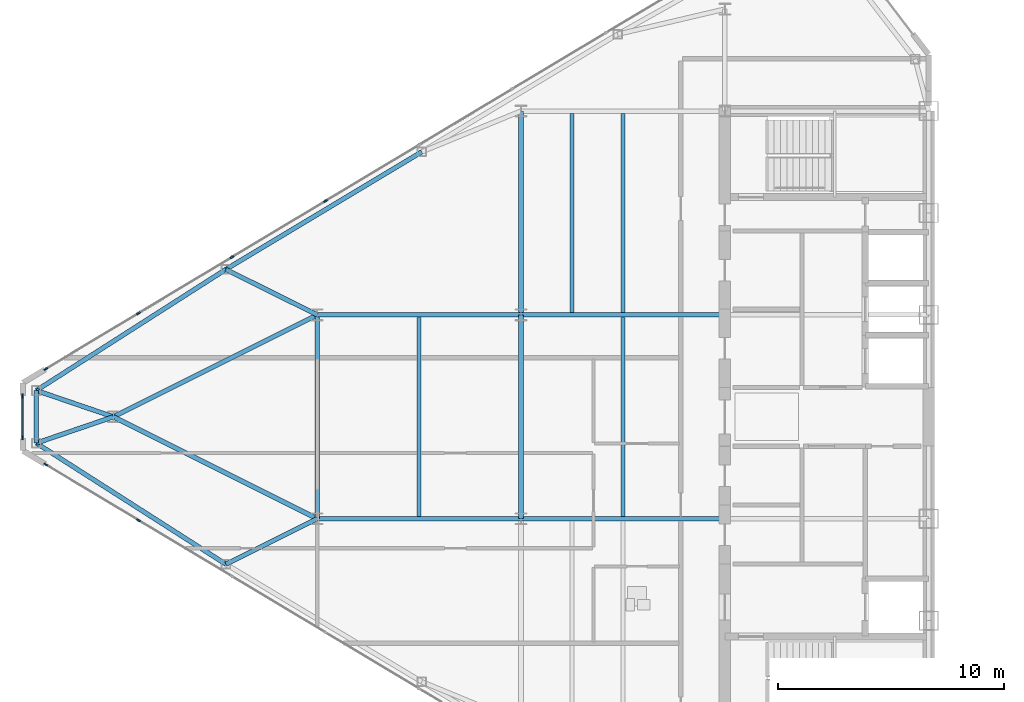
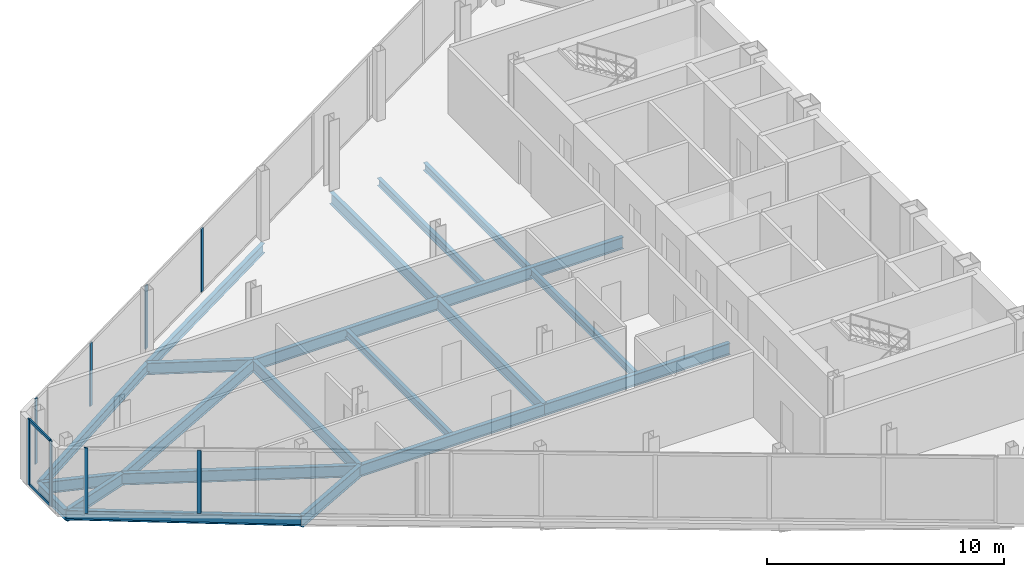
# One storey, part 7 of 25: 21 beams, 10 members, 3 elements without a shape of their own.
"""IFC4 building model written with IfcOpenShell, lengths in metres."""

import ifcopenshell
import ifcopenshell.guid

model = None  # the IFC model being written
_history = None  # IfcOwnerHistory: only IFC2X3 demands one
_inside = {}  # id of a spatial element -> (the spatial element, [elements in it])
_under = {}  # id of a project, library or spatial element -> (it, [spatial elements below it])
_declared = {}  # id of a project -> (the project, [libraries it declares])
_typed = {}  # id of a type object -> (the type object, [elements of that type])
_made_of = {}  # id of a material, layer set ... -> (it, [elements and type objects made of it])


def new_model(schema):
    """Start an empty IFC model of exactly this schema.

    Asked for "IFC4X3", IfcOpenShell would pick the latest addendum, in which some entities
    have other attributes; the version numbers below select the first issue.
    IFC2X3 requires an IfcOwnerHistory on every rooted entity: one is made here for all.
    """
    global model, _history
    if schema == "IFC4X3":
        model = ifcopenshell.file(schema_version=(4, 3, 0, 0))
    else:
        model = ifcopenshell.file(schema=schema)
    _inside.clear()
    _under.clear()
    _declared.clear()
    _typed.clear()
    _made_of.clear()
    _history = None
    if model.schema == "IFC2X3":
        org = make("IfcOrganization", Name="unknown")
        user = make(
            "IfcPersonAndOrganization",
            ThePerson=make("IfcPerson", FamilyName="unknown"),
            TheOrganization=org,
        )
        app = make(
            "IfcApplication",
            ApplicationDeveloper=org,
            Version="unknown",
            ApplicationFullName="unknown",
            ApplicationIdentifier="unknown",
        )
        _history = make(
            "IfcOwnerHistory",
            OwningUser=user,
            OwningApplication=app,
            ChangeAction="ADDED",
            CreationDate=0,
        )
    return model


def make(cls, **values):
    """One entity of the class cls with the attributes given. An attribute that is None is left unset."""
    return model.create_entity(
        cls, **{name: value for name, value in values.items() if value is not None}
    )


def rooted(cls, **values):
    """An entity with a GlobalId (a new one), such as an element, a storey or a relation."""
    return make(cls, GlobalId=ifcopenshell.guid.new(), OwnerHistory=_history, **values)


def si_unit(unit_type, name, prefix=None):
    """IfcSIUnit, for example si_unit("LENGTHUNIT", "METRE", prefix="MILLI")."""
    return make("IfcSIUnit", UnitType=unit_type, Prefix=prefix, Name=name)


def assignment(units):
    """IfcUnitAssignment: the units of a project."""
    return None if units is None else make("IfcUnitAssignment", Units=units)


def point(xyz):
    """IfcCartesianPoint."""
    return None if xyz is None else make("IfcCartesianPoint", Coordinates=xyz)


def direction(xyz):
    """IfcDirection."""
    return None if xyz is None else make("IfcDirection", DirectionRatios=xyz)


def frame(location, z_axis=None, x_axis=None):
    """IfcAxis2Placement3D, a coordinate frame: its origin and axes. An axis left out is left unset."""
    return make(
        "IfcAxis2Placement3D",
        Location=point(location),
        Axis=direction(z_axis),
        RefDirection=direction(x_axis),
    )


def frame_2d(location, x_axis=None):
    """IfcAxis2Placement2D, a coordinate frame in the plane: its origin and x axis."""
    return make(
        "IfcAxis2Placement2D", Location=point(location), RefDirection=direction(x_axis)
    )


def origin():
    """The frame at (0, 0, 0) with its axes left unset."""
    return frame((0.0, 0.0, 0.0))


def origin_2d():
    """The frame at (0, 0) in the plane with its x axis left unset."""
    return frame_2d((0.0, 0.0))


def place(relative_to, where):
    """IfcLocalPlacement: puts the frame where relative to a parent placement (None: the world)."""
    return make(
        "IfcLocalPlacement", PlacementRelTo=relative_to, RelativePlacement=where
    )


def context(
    kind, dimensions, precision=None, world=None, true_north=None, identifier=None
):
    """IfcGeometricRepresentationContext, for example the 3D "Model" context."""
    return make(
        "IfcGeometricRepresentationContext",
        ContextIdentifier=identifier,
        ContextType=kind,
        CoordinateSpaceDimension=dimensions,
        Precision=precision,
        WorldCoordinateSystem=world,
        TrueNorth=true_north,
    )


def subcontext(parent, identifier, kind, view, scale=None):
    """IfcGeometricRepresentationSubContext, for example "Body" below "Model"."""
    return make(
        "IfcGeometricRepresentationSubContext",
        ContextIdentifier=identifier,
        ContextType=kind,
        ParentContext=parent,
        TargetScale=scale,
        TargetView=view,
    )


def project(units=None, contexts=None):
    """IfcProject with its units and contexts."""
    return rooted(
        "IfcProject",
        Name="project",
        RepresentationContexts=contexts,
        UnitsInContext=assignment(units),
    )


def spatial(cls, under=None, at=None, **own):
    """A site, building, storey or space (cls), placed at a placement, below another one or the project."""
    s = rooted(cls, ObjectPlacement=at, **own)
    if under is not None:
        _under.setdefault(under.id(), (under, []))[1].append(s)
    return s


def profile(cls, at=None, kind="AREA", **sizes):
    """A parametric profile (cls). Its sizes go by their IFC names, for example OverallWidth=200.0."""
    return make(cls, ProfileType=kind, Position=at, **sizes)


def rectangle(**sizes):
    """IfcRectangleProfileDef."""
    return profile("IfcRectangleProfileDef", **sizes)


def i_section(**sizes):
    """IfcIShapeProfileDef."""
    return profile("IfcIShapeProfileDef", **sizes)


def extrude(swept, where, along, depth):
    """IfcExtrudedAreaSolid: the profile swept, set in the frame where, extruded along a direction by depth."""
    return make(
        "IfcExtrudedAreaSolid",
        SweptArea=swept,
        Position=where,
        ExtrudedDirection=direction(along),
        Depth=depth,
    )


def shape(context_of_items, identifier, shape_type, items):
    """IfcShapeRepresentation: the items that make up one representation, for example the "Body"."""
    return make(
        "IfcShapeRepresentation",
        ContextOfItems=context_of_items,
        RepresentationIdentifier=identifier,
        RepresentationType=shape_type,
        Items=items,
    )


def source(mapping_origin, context_of_items, identifier, shape_type, items):
    """IfcRepresentationMap: a shape defined once, which mapped items show again and again."""
    return make(
        "IfcRepresentationMap",
        MappingOrigin=mapping_origin,
        MappedRepresentation=shape(context_of_items, identifier, shape_type, items),
    )


def transform(
    local_origin,
    x_axis=None,
    y_axis=None,
    z_axis=None,
    scale=None,
    scale2=None,
    scale3=None,
    uniform=True,
):
    """IfcCartesianTransformationOperator3D, or its non-uniform kind. x_axis, y_axis, z_axis: its Axis1, 2, 3."""
    if uniform:
        return make(
            "IfcCartesianTransformationOperator3D",
            Axis1=direction(x_axis),
            Axis2=direction(y_axis),
            LocalOrigin=point(local_origin),
            Scale=scale,
            Axis3=direction(z_axis),
        )
    return make(
        "IfcCartesianTransformationOperator3DnonUniform",
        Axis1=direction(x_axis),
        Axis2=direction(y_axis),
        LocalOrigin=point(local_origin),
        Scale=scale,
        Axis3=direction(z_axis),
        Scale2=scale2,
        Scale3=scale3,
    )


def mapped(mapping_source, mapping_target):
    """IfcMappedItem: shows the shape of a source again, moved by a transform."""
    return make(
        "IfcMappedItem", MappingSource=mapping_source, MappingTarget=mapping_target
    )


def material(Name=None, Category=None):
    """IfcMaterial."""
    return make("IfcMaterial", Name=Name, Category=Category)


def layer(
    of_material, thickness, ventilated=None, Name=None, Category=None, Priority=None
):
    """IfcMaterialLayer: one layer of a wall or slab, of a material (None: an air gap)."""
    return make(
        "IfcMaterialLayer",
        Material=of_material,
        LayerThickness=thickness,
        IsVentilated=ventilated,
        Name=Name,
        Category=Category,
        Priority=Priority,
    )


def layer_set(layers, Name=None):
    """IfcMaterialLayerSet."""
    return make("IfcMaterialLayerSet", MaterialLayers=layers, LayerSetName=Name)


def material_profile(
    of_material, cross_section, Name=None, Category=None, Priority=None
):
    """IfcMaterialProfile: a cross section and its material."""
    return make(
        "IfcMaterialProfile",
        Name=Name,
        Material=of_material,
        Profile=cross_section,
        Priority=Priority,
        Category=Category,
    )


def profile_set(profiles, Name=None, composite=None):
    """IfcMaterialProfileSet."""
    return make(
        "IfcMaterialProfileSet",
        Name=Name,
        MaterialProfiles=profiles,
        CompositeProfile=composite,
    )


def made_of(thing, what):
    """Note that an element or type object is made of a material, layer set ...; save() writes the relation."""
    if what is not None:
        _made_of.setdefault(what.id(), (what, []))[1].append(thing)
    return thing


def type_object(cls, material=None, **own):
    """A type object (cls), such as IfcWallType, which elements share."""
    return made_of(rooted(cls, **own), material)


def type_shapes(of_type, sources):
    """Give a type object the sources (RepresentationMaps) that its elements show as mapped items."""
    of_type.RepresentationMaps = sources


def element(
    cls,
    number,
    at=None,
    inside=None,
    cuts=None,
    type_object=None,
    material=None,
    context=None,
    identifier="Body",
    shape_type=None,
    held_by="IfcProductDefinitionShape",
    body=None,
    shapes=None,
    **own,
):
    """One element of the class cls, such as IfcWall. Its Tag is "e" and its number.

    at: its placement. inside: the storey or other place that contains it. cuts: it is an
    opening in that element (IfcRelVoidsElement). A single representation is given by context,
    identifier, shape_type and body (its items); several are given by shapes. held_by: the class
    of the entity that holds the representations. save() writes the other relations.
    """
    e = rooted(cls, Tag="e%d" % number, ObjectPlacement=at, **own)
    if body is not None:
        shapes = [shape(context, identifier, shape_type, body)]
    if shapes is not None:
        e.Representation = make(held_by, Representations=shapes)
    if inside is not None:
        _inside.setdefault(inside.id(), (inside, []))[1].append(e)
    if cuts is not None:
        rooted(
            "IfcRelVoidsElement", RelatingBuildingElement=cuts, RelatedOpeningElement=e
        )
    if type_object is not None:
        _typed.setdefault(type_object.id(), (type_object, []))[1].append(e)
    return made_of(e, material)


def aggregate(whole, parts):
    """IfcRelAggregates: a whole, such as a stair, and the parts it consists of."""
    return rooted("IfcRelAggregates", RelatingObject=whole, RelatedObjects=parts)


def save(model, path):
    """Write the relations noted so far, then the file.

    IfcRelAggregates (storeys below a building ...), IfcRelContainedInSpatialStructure (elements
    in a storey), IfcRelDefinesByType, IfcRelAssociatesMaterial and IfcRelDeclares: one each for
    every whole, place, type object, material and project.
    """
    for whole, parts in _under.values():
        aggregate(whole, parts)
    for where, things in _inside.values():
        rooted(
            "IfcRelContainedInSpatialStructure",
            RelatedElements=things,
            RelatingStructure=where,
        )
    for kind, things in _typed.values():
        rooted("IfcRelDefinesByType", RelatedObjects=things, RelatingType=kind)
    for what, things in _made_of.values():
        rooted("IfcRelAssociatesMaterial", RelatedObjects=things, RelatingMaterial=what)
    for by, libraries in _declared.values():
        rooted("IfcRelDeclares", RelatingContext=by, RelatedDefinitions=libraries)
    model.write(path)


model = new_model("IFC4")

# Units and contexts
model_context = context("Model", 3, precision=1e-05, world=origin(), true_north=direction((0.0, 1.0)))
body_context = subcontext(model_context, "Body", "Model", "MODEL_VIEW")
ifc_project = project(units=[si_unit("LENGTHUNIT", "METRE"), si_unit("AREAUNIT", "SQUARE_METRE"), si_unit("VOLUMEUNIT", "CUBIC_METRE"), si_unit("PLANEANGLEUNIT", "RADIAN"), si_unit("MASSUNIT", "GRAM", prefix="KILO")], contexts=[model_context])

# Site, building, storey
site_placement = place(None, origin())
site = spatial("IfcSite", under=ifc_project, at=site_placement, CompositionType="ELEMENT")
building_placement = place(site_placement, origin())
building = spatial("IfcBuilding", under=site, at=building_placement, Name="Seokmaru Belvedere", CompositionType="ELEMENT")
storey_placement = place(building_placement, frame((0.0, 0.0, 210.300048828125)))
storey = spatial("IfcBuildingStorey", under=building, at=storey_placement, Name="L56", CompositionType="ELEMENT", Elevation=210.300048828125)

# Beams
ifc_material_1 = material(Name="Steel SM355 (355 MPa)", Category="steel")
ifc_material_profile_1 = material_profile(ifc_material_1, i_section(OverallWidth=0.199951171875, OverallDepth=0.60009765625, WebThickness=0.010986328125, FlangeThickness=0.01708984375, at=origin_2d()), Name="H-600x200x11x17")
ifc_profile_set_1 = profile_set([ifc_material_profile_1], Name="Steel SM355 (355 MPa)")
beam_type_1 = type_object("IfcBeamType", Name="Primary Floor Girder H-600", PredefinedType="BEAM", material=ifc_profile_set_1)
shared_shape_1 = source(origin(), body_context, "Body", "SweptSolid", [
    extrude(i_section(OverallWidth=0.199951171875, OverallDepth=0.60009765625, WebThickness=0.010986328125, FlangeThickness=0.01708984375, at=origin_2d()), origin(), (0.0, 0.0, 1.0), 9.0),
])
for number, where, z_axis, x_axis, name in (
    (1, (-45.5, -4.5, -0.52001953125), (0.0, 1.0, 0.0), (-1.0, 0.0, 0.0), "L56 W Interior Grid Girder 2"),
    (2, (-45.5, 4.5, -0.52001953125), (0.0, 1.0, 0.0), (-1.0, 0.0, 0.0), "L56 W Interior Grid Girder 3"),
    (3, (-45.5, -4.5, -0.52001953125), (1.0, 0.0, 0.0), (0.0, 1.0, 0.0), "L56 W Wing Primary Girder 2"),
    (4, (-45.5, 4.5, -0.52001953125), (1.0, 0.0, 0.0), (0.0, 1.0, 0.0), "L56 W Wing Primary Girder 3"),
    (5, (-54.5, -4.5, -0.52001953125), (1.0, 0.0, 0.0), (0.0, 1.0, 0.0), "L56 W Outer Wing Girder 1"),
    (6, (-54.5, 4.5, -0.52001953125), (1.0, 0.0, 0.0), (0.0, 1.0, 0.0), "L56 W Outer Wing Girder 2"),
    (7, (-54.5, -4.5, -0.52001953125), (0.0, 1.0, 0.0), (-1.0, 0.0, 0.0), "L56 W Apex Frame Girder"),
):
    element("IfcBeam", number, at=place(storey_placement, frame(where, z_axis=z_axis, x_axis=x_axis)), inside=storey, type_object=beam_type_1, Name=name, PredefinedType="BEAM", context=body_context, shape_type="MappedRepresentation", body=[
        mapped(shared_shape_1, transform((0.0, 0.0, 0.0), scale=1.0)),
    ])
shared_shape_2 = source(origin(), body_context, "Body", "SweptSolid", [
    extrude(i_section(OverallWidth=0.199951171875, OverallDepth=0.60009765625, WebThickness=0.010986328125, FlangeThickness=0.01708984375, at=origin_2d()), origin(), (0.0, 0.0, 1.0), 10.062255859375),
])
for number, where, z_axis, x_axis, name in (
    (8, (-54.5, -4.5, -0.52001953125), (-0.894427191, 0.4472135955, 0.0), (-0.4472135955, -0.894427191, 0.0), "L56 W Apex Converging Girder 1"),
    (9, (-54.5, 4.5, -0.52001953125), (-0.894427191, -0.4472135955, 0.0), (0.4472135955, -0.894427191, 0.0), "L56 W Apex Converging Girder 2"),
):
    element("IfcBeam", number, at=place(storey_placement, frame(where, z_axis=z_axis, x_axis=x_axis)), inside=storey, type_object=beam_type_1, Name=name, PredefinedType="BEAM", context=body_context, shape_type="MappedRepresentation", body=[
        mapped(shared_shape_2, transform((0.0, 0.0, 0.0), scale=1.0)),
    ])
ifc_material_profile_2 = material_profile(ifc_material_1, i_section(OverallWidth=0.18505859375, OverallDepth=0.389892578125, WebThickness=0.008056640625, FlangeThickness=0.011962890625, at=origin_2d()), Name="H-390x185x8x12")
ifc_profile_set_2 = profile_set([ifc_material_profile_2], Name="Steel SM355 (355 MPa)")
beam_type_2 = type_object("IfcBeamType", Name="Secondary Floor Joist H-350", PredefinedType="JOIST", material=ifc_profile_set_2)
shared_shape_3 = source(origin(), body_context, "Body", "SweptSolid", [
    extrude(i_section(OverallWidth=0.18505859375, OverallDepth=0.389892578125, WebThickness=0.008056640625, FlangeThickness=0.011962890625, at=origin_2d()), origin(), (0.0, 0.0, 1.0), 8.7900390625),
])
type_shapes(beam_type_2, [shared_shape_3])
for number, where, z_axis, x_axis, name in (
    (10, (-43.25, 4.60498046875, -0.4150390625), (0.0, 1.0, 0.0), (-1.0, 0.0, 0.0), "L56 W Wing Inner Secondary Joist 2"),
    (11, (-41.0, -4.39501953125, -0.4150390625), (0.0, 1.0, 0.0), (-1.0, 0.0, 0.0), "L56 W Secondary Floor Joist 2"),
    (12, (-41.0, 4.60498046875, -0.4150390625), (0.0, 1.0, 0.0), (-1.0, 0.0, 0.0), "L56 W Secondary Floor Joist 3"),
    (13, (-50.0, -4.39501953125, -0.4150390625), (0.0, 1.0, 0.0), (-1.0, 0.0, 0.0), "L56 W Outer Bay Secondary Joist"),
):
    element("IfcBeam", number, at=place(storey_placement, frame(where, z_axis=z_axis, x_axis=x_axis)), inside=storey, type_object=beam_type_2, Name=name, PredefinedType="JOIST", context=body_context, shape_type="MappedRepresentation", body=[
        mapped(shared_shape_3, transform((0.0, 0.0, 0.0), scale=1.0)),
    ])
ifc_material_profile_3 = material_profile(ifc_material_1, i_section(OverallWidth=0.199951171875, OverallDepth=0.5, WebThickness=0.010009765625, FlangeThickness=0.01611328125, at=origin_2d()), Name="H-500x200x10x16")
ifc_profile_set_3 = profile_set([ifc_material_profile_3], Name="Steel SM355 (355 MPa)")
beam_type_3 = type_object("IfcBeamType", Name="Perimeter Spandrel Beam H-500", PredefinedType="SPANDREL", material=ifc_profile_set_3)
shared_shape_4 = source(origin(), body_context, "Body", "SweptSolid", [
    extrude(i_section(OverallWidth=0.199951171875, OverallDepth=0.5, WebThickness=0.010009765625, FlangeThickness=0.01611328125, at=origin_2d()), origin(), (0.0, 0.0, 1.0), 10.087646484375),
])
beam_1_placement = place(storey_placement, frame((-49.8798828125, 11.698974609375, -0.469970703125), z_axis=(-0.857488654804, -0.514502873542, 0.0), x_axis=(0.514502873542, -0.857488654804, 0.0)))
element("IfcBeam", 14, at=beam_1_placement, inside=storey, type_object=beam_type_3, Name="L56 W Faceted Flank Spandrel N-3", PredefinedType="SPANDREL", context=body_context, shape_type="MappedRepresentation", body=[
    mapped(shared_shape_4, transform((0.0, 0.0, 0.0), scale=1.0)),
])
shared_shape_5 = source(origin(), body_context, "Body", "SweptSolid", [
    extrude(i_section(OverallWidth=0.199951171875, OverallDepth=0.5, WebThickness=0.010009765625, FlangeThickness=0.01611328125, at=origin_2d()), origin(), (0.0, 0.0, 1.0), 9.932861328125),
])
for number, where, z_axis, x_axis, name in (
    (15, (-58.530029296875, -6.5087890625, -0.469970703125), (-0.842651960357, 0.538458609093, 0.0), (-0.538458609093, -0.842651960357, 0.0), "L56 W Faceted Flank Spandrel S-4"),
    (16, (-58.530029296875, 6.5087890625, -0.469970703125), (-0.842651960357, -0.538458609093, 0.0), (0.538458609093, -0.842651960357, 0.0), "L56 W Faceted Flank Spandrel N-4"),
):
    element("IfcBeam", number, at=place(storey_placement, frame(where, z_axis=z_axis, x_axis=x_axis)), inside=storey, type_object=beam_type_3, Name=name, PredefinedType="SPANDREL", context=body_context, shape_type="MappedRepresentation", body=[
        mapped(shared_shape_5, transform((0.0, 0.0, 0.0), scale=1.0)),
    ])
shared_shape_6 = source(origin(), body_context, "Body", "SweptSolid", [
    extrude(i_section(OverallWidth=0.199951171875, OverallDepth=0.5, WebThickness=0.010009765625, FlangeThickness=0.01611328125, at=origin_2d()), origin(), (0.0, 0.0, 1.0), 2.32080078125),
])
type_shapes(beam_type_3, [shared_shape_4, shared_shape_5, shared_shape_6])
beam_2_placement = place(storey_placement, frame((-66.89990234375, -1.160400390625, -0.469970703125), z_axis=(0.0, 1.0, 0.0), x_axis=(-1.0, 0.0, 0.0)))
element("IfcBeam", 17, at=beam_2_placement, inside=storey, type_object=beam_type_3, Name="L56 W Faceted Apex Spandrel", PredefinedType="SPANDREL", context=body_context, shape_type="MappedRepresentation", body=[
    mapped(shared_shape_6, transform((0.0, 0.0, 0.0), scale=1.0)),
])
shared_shape_7 = source(origin(), body_context, "Body", "SweptSolid", [
    extrude(i_section(OverallWidth=0.199951171875, OverallDepth=0.60009765625, WebThickness=0.010986328125, FlangeThickness=0.01708984375, at=origin_2d()), origin(), (0.0, 0.0, 1.0), 4.5029296875),
])
for number, where, z_axis, x_axis, name in (
    (18, (-58.530029296875, -6.5087890625, -0.52001953125), (0.894979532585, 0.446107202648, 0.0), (-0.446107202648, 0.894979532585, 0.0), "L56 W Flank Radial Floor Girder S-3"),
    (19, (-58.530029296875, 6.5087890625, -0.52001953125), (0.894979532585, -0.446107202648, 0.0), (0.446107202648, 0.894979532585, 0.0), "L56 W Flank Radial Floor Girder N-3"),
):
    element("IfcBeam", number, at=place(storey_placement, frame(where, z_axis=z_axis, x_axis=x_axis)), inside=storey, type_object=beam_type_1, Name=name, PredefinedType="BEAM", context=body_context, shape_type="MappedRepresentation", body=[
        mapped(shared_shape_7, transform((0.0, 0.0, 0.0), scale=1.0)),
    ])
shared_shape_8 = source(origin(), body_context, "Body", "SweptSolid", [
    extrude(i_section(OverallWidth=0.199951171875, OverallDepth=0.60009765625, WebThickness=0.010986328125, FlangeThickness=0.01708984375, at=origin_2d()), origin(), (0.0, 0.0, 1.0), 3.592529296875),
])
type_shapes(beam_type_1, [shared_shape_1, shared_shape_2, shared_shape_7, shared_shape_8])
for number, where, z_axis, x_axis, name in (
    (20, (-66.89990234375, -1.160400390625, -0.52001953125), (0.946395973048, 0.323008764893, 0.0), (-0.323008764893, 0.946395973048, 0.0), "L56 W Apex Radial Floor Girder 1"),
    (21, (-66.89990234375, 1.160400390625, -0.52001953125), (0.946395973048, -0.323008764893, 0.0), (0.323008764893, 0.946395973048, 0.0), "L56 W Apex Radial Floor Girder 2"),
):
    element("IfcBeam", number, at=place(storey_placement, frame(where, z_axis=z_axis, x_axis=x_axis)), inside=storey, type_object=beam_type_1, Name=name, PredefinedType="BEAM", context=body_context, shape_type="MappedRepresentation", body=[
        mapped(shared_shape_8, transform((0.0, 0.0, 0.0), scale=1.0)),
    ])

# Curtain wall, member
ifc_material_2 = material(Name="Bronze Triple Insulating Glass", Category="glass")
ifc_layer = layer(ifc_material_2, 0.179931640625)
ifc_layer_set = layer_set([ifc_layer], Name="Bronze Triple Insulating Glass")
curtain_wall_type = type_object("IfcCurtainWallType", Name="High-Rise Wind-Corner Curtain Wall System CW-5", PredefinedType="NOTDEFINED", material=ifc_layer_set)
curtain_wall_1_placement = place(storey_placement, origin())
curtain_wall_1 = element("IfcCurtainWall", 22, at=curtain_wall_1_placement, inside=storey, type_object=curtain_wall_type, Name="L56 Curtain Wall WF3", PredefinedType="NOTDEFINED")
ifc_material_3 = material(Name="Anodised Bronze Aluminium", Category="aluminium")
ifc_material_profile_4 = material_profile(ifc_material_3, rectangle(XDim=0.06494140625, YDim=0.179931640625, at=origin_2d()), Name="CW-M-65x180")
ifc_profile_set_4 = profile_set([ifc_material_profile_4], Name="Anodised Bronze Aluminium")
member_type_1 = type_object("IfcMemberType", Name="Bronze Unitised Mullion 65x180", PredefinedType="MULLION", material=ifc_profile_set_4)
shared_shape_9 = source(origin(), body_context, "Body", "SweptSolid", [
    extrude(rectangle(XDim=0.06494140625, YDim=0.179931640625, at=origin_2d()), origin(), (0.0, 0.0, 1.0), 3.3798828125),
])
member_1_placement = place(storey_placement, frame((-66.486083984375, 2.1083984375, 0.0), z_axis=(0.0, 0.0, 1.0), x_axis=(0.514494909364, -0.85749343335, 0.0)))
member_1 = element("IfcMember", 23, at=member_1_placement, type_object=member_type_1, Name="CW:L56:WF3 Mullion 9", PredefinedType="MULLION", context=body_context, shape_type="MappedRepresentation", body=[
    mapped(shared_shape_9, transform((0.0, 0.0, 0.0), scale=1.0)),
])

# Curtain wall, members
curtain_wall_2_placement = place(storey_placement, origin())
curtain_wall_2 = element("IfcCurtainWall", 24, at=curtain_wall_2_placement, inside=storey, type_object=curtain_wall_type, Name="L56 Curtain Wall WF4", PredefinedType="NOTDEFINED")
member_2_placement = place(storey_placement, frame((-67.5, 0.91748046875, 0.0), z_axis=(0.0, 0.0, 1.0), x_axis=(1.0, 0.0, 0.0)))
member_2 = element("IfcMember", 25, at=member_2_placement, type_object=member_type_1, Name="CW:L56:WF4 Mullion 1", PredefinedType="MULLION", context=body_context, shape_type="MappedRepresentation", body=[
    mapped(shared_shape_9, transform((0.0, 0.0, 0.0), scale=1.0)),
])
member_3_placement = place(storey_placement, frame((-67.5, -0.91748046875, 0.0), z_axis=(0.0, 0.0, 1.0), x_axis=(1.0, 0.0, 0.0)))
member_3 = element("IfcMember", 26, at=member_3_placement, type_object=member_type_1, Name="CW:L56:WF4 Mullion 2", PredefinedType="MULLION", context=body_context, shape_type="MappedRepresentation", body=[
    mapped(shared_shape_9, transform((0.0, 0.0, 0.0), scale=1.0)),
])

# Curtain wall, member
curtain_wall_3_placement = place(storey_placement, origin())
curtain_wall_3 = element("IfcCurtainWall", 27, at=curtain_wall_3_placement, inside=storey, type_object=curtain_wall_type, Name="L56 Curtain Wall WF5", PredefinedType="NOTDEFINED")
member_4_placement = place(storey_placement, frame((-66.486083984375, -2.1083984375, 0.0), z_axis=(0.0, 0.0, 1.0), x_axis=(0.514494909364, 0.85749343335, 0.0)))
member_4 = element("IfcMember", 28, at=member_4_placement, type_object=member_type_1, Name="CW:L56:WF5 Mullion 1", PredefinedType="MULLION", context=body_context, shape_type="MappedRepresentation", body=[
    mapped(shared_shape_9, transform((0.0, 0.0, 0.0), scale=1.0)),
])

# Member
shared_shape_10 = source(origin(), body_context, "Body", "SweptSolid", [
    extrude(rectangle(XDim=0.06494140625, YDim=0.179931640625, at=origin_2d()), origin(), (0.0, 0.0, 1.0), 3.25),
])
type_shapes(member_type_1, [shared_shape_9, shared_shape_10])
member_5_placement = place(storey_placement, frame((-54.12841796875, 9.52294921875, 0.06494140625), z_axis=(0.0, 0.0, 1.0), x_axis=(0.514494909364, -0.85749343335, 0.0)))
member_5 = element("IfcMember", 29, at=member_5_placement, type_object=member_type_1, Name="CW:L56:WF3 Mullion 6", PredefinedType="MULLION", context=body_context, shape_type="MappedRepresentation", body=[
    mapped(shared_shape_10, transform((0.0, 0.0, 0.0), scale=1.0)),
])

member_6_placement = place(storey_placement, frame((-58.257080078125, 7.0458984375, 0.06494140625), z_axis=(0.0, 0.0, 1.0), x_axis=(0.514494909364, -0.85749343335, 0.0)))
member_6 = element("IfcMember", 30, at=member_6_placement, type_object=member_type_1, Name="CW:L56:WF3 Mullion 7", PredefinedType="MULLION", context=body_context, shape_type="MappedRepresentation", body=[
    mapped(shared_shape_10, transform((0.0, 0.0, 0.0), scale=1.0)),
])

member_7_placement = place(storey_placement, frame((-62.385498046875, 4.56884765625, 0.06494140625), z_axis=(0.0, 0.0, 1.0), x_axis=(0.514494909364, -0.85749343335, 0.0)))
member_7 = element("IfcMember", 31, at=member_7_placement, type_object=member_type_1, Name="CW:L56:WF3 Mullion 8", PredefinedType="MULLION", context=body_context, shape_type="MappedRepresentation", body=[
    mapped(shared_shape_10, transform((0.0, 0.0, 0.0), scale=1.0)),
])

aggregate(curtain_wall_1, [member_5, member_6, member_7, member_1])

member_8_placement = place(storey_placement, frame((-62.385498046875, -4.56884765625, 0.06494140625), z_axis=(0.0, 0.0, 1.0), x_axis=(0.514494909364, 0.85749343335, 0.0)))
member_8 = element("IfcMember", 32, at=member_8_placement, type_object=member_type_1, Name="CW:L56:WF5 Mullion 2", PredefinedType="MULLION", context=body_context, shape_type="MappedRepresentation", body=[
    mapped(shared_shape_10, transform((0.0, 0.0, 0.0), scale=1.0)),
])

aggregate(curtain_wall_3, [member_4, member_8])

ifc_material_profile_5 = material_profile(ifc_material_3, rectangle(XDim=0.06494140625, YDim=0.14990234375, at=origin_2d()), Name="CW-T-65x150")
ifc_profile_set_5 = profile_set([ifc_material_profile_5], Name="Anodised Bronze Aluminium")
member_type_2 = type_object("IfcMemberType", Name="Bronze Unitised Transom 65x150", PredefinedType="USERDEFINED", material=ifc_profile_set_5)
shared_shape_11 = source(origin(), body_context, "Body", "SweptSolid", [
    extrude(rectangle(XDim=0.06494140625, YDim=0.14990234375, at=origin_2d()), origin(), (0.0, 0.0, 1.0), 1.77001953125),
])
type_shapes(member_type_2, [shared_shape_11])
member_9_placement = place(storey_placement, frame((-67.5, 0.885009765625, 0.032470703125), z_axis=(0.0, -1.0, 0.0), x_axis=(1.0, 0.0, 0.0)))
member_9 = element("IfcMember", 33, at=member_9_placement, type_object=member_type_2, Name="CW:L56:WF4 Continuous Transom 1", ObjectType="TRANSOM", PredefinedType="USERDEFINED", context=body_context, shape_type="MappedRepresentation", body=[
    mapped(shared_shape_11, transform((0.0, 0.0, 0.0), scale=1.0)),
])

member_10_placement = place(storey_placement, frame((-67.5, 0.885009765625, 3.347412109375), z_axis=(0.0, -1.0, 0.0), x_axis=(1.0, 0.0, 0.0)))
member_10 = element("IfcMember", 34, at=member_10_placement, type_object=member_type_2, Name="CW:L56:WF4 Continuous Transom 2", ObjectType="TRANSOM", PredefinedType="USERDEFINED", context=body_context, shape_type="MappedRepresentation", body=[
    mapped(shared_shape_11, transform((0.0, 0.0, 0.0), scale=1.0)),
])

aggregate(curtain_wall_2, [member_2, member_3, member_9, member_10])

save(model, "model.ifc")
